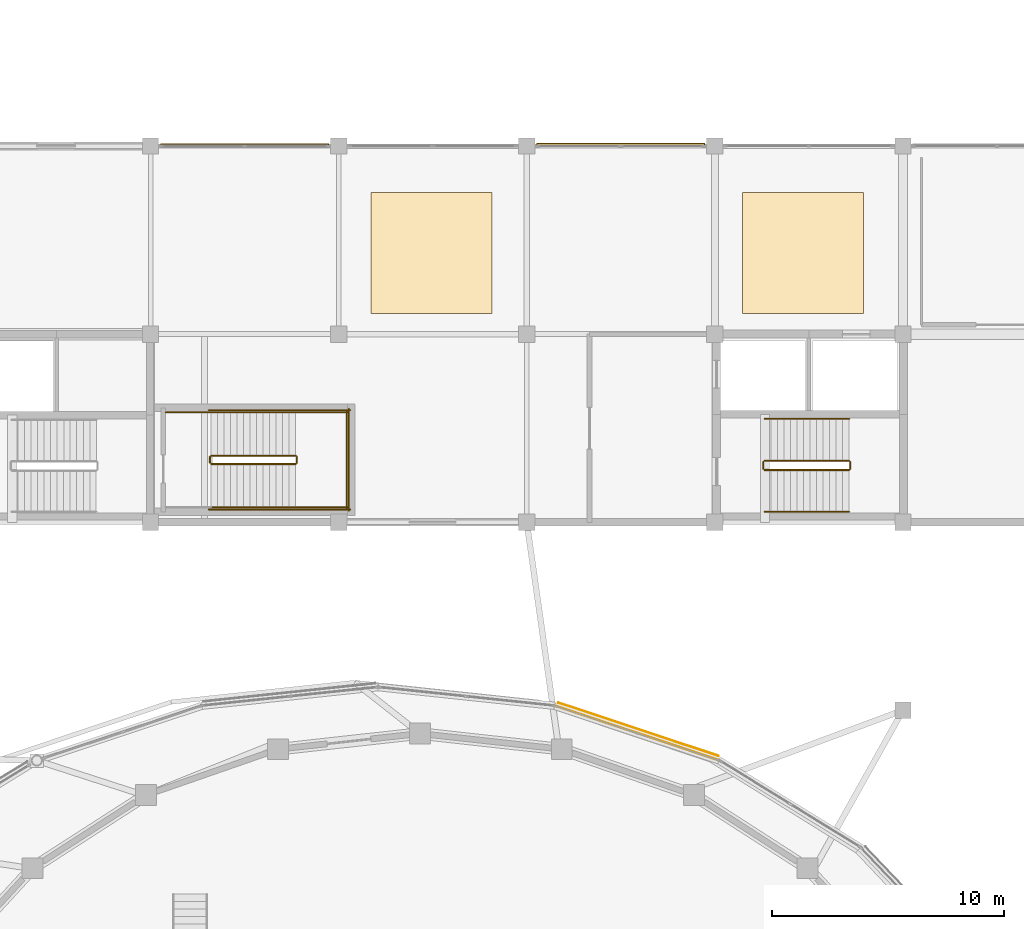
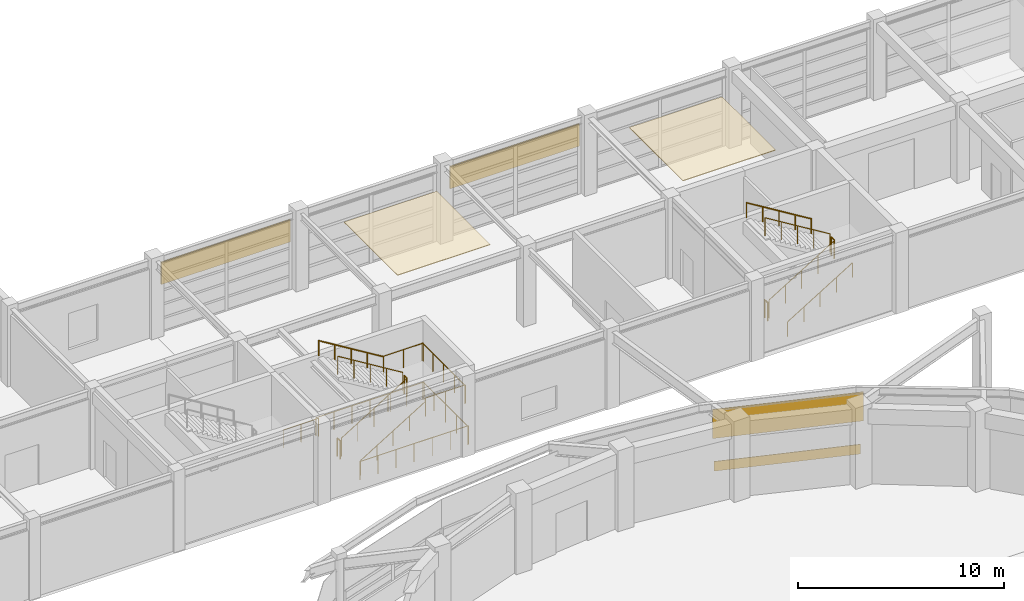
# One storey, part 52 of 56: 19 railings, 4 coverings, 2 shading devices.
"""IFC4 building model written with IfcOpenShell, lengths in metres."""

from ifc_helpers import new_model, si_unit, direction, frame, origin, origin_2d, place, context, subcontext, project, spatial, rectangle, circle, extrude, material, layer, layer_set, type_object, element, save


model = new_model("IFC4")

# Units and contexts
model_context = context("Model", 3, precision=1e-05, world=origin(), true_north=direction((0.0, 1.0)))
body_context = subcontext(model_context, "Body", "Model", "MODEL_VIEW")
ifc_project = project(units=[si_unit("LENGTHUNIT", "METRE"), si_unit("AREAUNIT", "SQUARE_METRE"), si_unit("VOLUMEUNIT", "CUBIC_METRE"), si_unit("PLANEANGLEUNIT", "RADIAN"), si_unit("MASSUNIT", "GRAM", prefix="KILO")], contexts=[model_context])

# Site, building, storey
site_placement = place(None, origin())
site = spatial("IfcSite", under=ifc_project, at=site_placement, CompositionType="ELEMENT")
building_placement = place(site_placement, origin())
building = spatial("IfcBuilding", under=site, at=building_placement, Name="Parian Resonance Hall", CompositionType="ELEMENT")
storey_placement = place(building_placement, frame((0.0, 0.0, 5.39990234375)))
storey = spatial("IfcBuildingStorey", under=building, at=storey_placement, Name="L01", CompositionType="ELEMENT", Elevation=5.39990234375)

# Coverings
ifc_material_1 = material(Name="Perforated mahogany and mineral-wool acoustic ceiling")
ifc_layer_1 = layer(ifc_material_1, 0.0400390625)
ifc_layer_set_1 = layer_set([ifc_layer_1], Name="Perforated mahogany and mineral-wool acoustic ceiling")
covering_type_1 = type_object("IfcCoveringType", Name="COV-CEIL-ACOUSTIC", PredefinedType="CEILING", material=ifc_layer_set_1)
for number, where, z_axis, x_axis, name in (
    (1, (44.5, 84.5, 4.52197265625), (0.0, 0.0, 1.0), (1.0, 0.0, 0.0), "Suspended mahogany acoustic ceiling canopy L01-02"),
    (2, (60.5, 84.5, 4.52197265625), (0.0, 0.0, 1.0), (1.0, 0.0, 0.0), "Suspended mahogany acoustic ceiling canopy L01-03"),
):
    element("IfcCovering", number, at=place(storey_placement, frame(where, z_axis=z_axis, x_axis=x_axis)), inside=storey, type_object=covering_type_1, Name=name, PredefinedType="CEILING", context=body_context, shape_type="SweptSolid", body=[
        extrude(rectangle(XDim=5.199951171875, YDim=5.199951171875, at=origin_2d()), origin(), (0.0, 0.0, 1.0), 0.0400390625),
    ])
ifc_material_2 = material(Name="Polychrome trencadis ceramic mosaic cladding")
ifc_layer_2 = layer(ifc_material_2, 0.030029296875)
ifc_layer_set_2 = layer_set([ifc_layer_2], Name="Polychrome trencadis ceramic mosaic cladding")
covering_type_2 = type_object("IfcCoveringType", Name="COV-MOSAIC-CLAD", PredefinedType="CLADDING", material=ifc_layer_set_2)
covering_1_placement = place(storey_placement, frame((53.409423828125, 63.982177734375, 0.28759765625), z_axis=(0.0, 0.0, 1.0), x_axis=(0.94892282868, -0.315508264884, 0.0)))
element("IfcCovering", 3, at=covering_1_placement, inside=storey, type_object=covering_type_2, Name="Polychrome ceramic mosaic frieze L01-007", PredefinedType="CLADDING", context=body_context, shape_type="SweptSolid", body=[
    extrude(rectangle(XDim=7.2724609375, YDim=0.030029296875, at=origin_2d()), origin(), (0.0, 0.0, 1.0), 0.574951171875),
])
covering_2_placement = place(storey_placement, frame((53.3544921875, 63.81689453125, 2.35498046875), z_axis=(0.0, 0.0, 1.0), x_axis=(0.94892282868, -0.315508264884, 0.0)))
element("IfcCovering", 4, at=covering_2_placement, inside=storey, type_object=covering_type_2, Name="Elliptical R1 upper mosaic frieze cladding 05", PredefinedType="CLADDING", context=body_context, shape_type="SweptSolid", body=[
    extrude(rectangle(XDim=7.472412109375, YDim=0.030029296875, at=origin_2d()), origin(), (0.0, 0.0, 1.0), 1.72509765625),
])

# Railings
ifc_material_3 = material(Name="Patinated bronze whiplash metalwork")
railing_type_1 = type_object("IfcRailingType", Name="RAIL-HALL-BAL-1120", PredefinedType="BALUSTRADE", material=ifc_material_3)
railing_1_placement = place(storey_placement, frame((35.010009765625, 75.409912109375, 0.171630859375)))
element("IfcRailing", 5, at=railing_1_placement, inside=storey, type_object=railing_type_1, Name="L01 ST-07 stair guard 1", PredefinedType="BALUSTRADE", context=body_context, shape_type="SweptSolid", body=[
    extrude(circle(Radius=0.02392578125, at=origin_2d()), frame((0.0, 0.0, 1.076171875), z_axis=(0.852850264322, 0.0, 0.5221555579), x_axis=(0.0, 1.0, 0.0)), (0.0, 0.0, 1.0), 4.267822265625),
    extrude(circle(Radius=0.02099609375, at=origin_2d()), origin(), (0.0, 0.0, 1.0), 1.052001953125),
    extrude(circle(Radius=0.02099609375, at=origin_2d()), frame((0.909912109375, 0.0, 0.55712890625)), (0.0, 0.0, 1.0), 1.052001953125),
    extrude(circle(Radius=0.02099609375, at=origin_2d()), frame((1.81982421875, 0.0, 1.1142578125)), (0.0, 0.0, 1.0), 1.052001953125),
    extrude(circle(Radius=0.02099609375, at=origin_2d()), frame((2.72998046875, 0.0, 1.67138671875)), (0.0, 0.0, 1.0), 1.052001953125),
    extrude(circle(Radius=0.02099609375, at=origin_2d()), frame((3.639892578125, 0.0, 2.228515625)), (0.0, 0.0, 1.0), 1.052001953125),
])
railing_2_placement = place(storey_placement, frame((38.699951171875, 75.4599609375, 2.400146484375)))
element("IfcRailing", 6, at=railing_2_placement, inside=storey, type_object=railing_type_1, Name="L01 ST-07 stair guard 2", PredefinedType="BALUSTRADE", context=body_context, shape_type="SweptSolid", body=[
    extrude(circle(Radius=0.02392578125, at=origin_2d()), frame((0.0, 0.0, 1.076171875), z_axis=(0.0, 1.0, 0.0), x_axis=(-1.0, 0.0, 0.0)), (0.0, 0.0, 1.0), 0.260009765625),
    extrude(circle(Radius=0.02099609375, at=origin_2d()), origin(), (0.0, 0.0, 1.0), 1.052001953125),
    extrude(circle(Radius=0.02099609375, at=origin_2d()), frame((0.0, 0.260009765625, 0.0)), (0.0, 0.0, 1.0), 1.052001953125),
])
for number, where, name in (
    (7, (38.64990234375, 73.550048828125, 2.400146484375), "L01 ST-07 stair guard 3"),
    (8, (38.64990234375, 77.6298828125, 2.400146484375), "L01 ST-07 stair guard 4"),
):
    element("IfcRailing", number, at=place(storey_placement, frame(where)), inside=storey, type_object=railing_type_1, Name=name, PredefinedType="BALUSTRADE", context=body_context, shape_type="SweptSolid", body=[
        extrude(circle(Radius=0.02392578125, at=origin_2d()), frame((0.0, 0.0, 1.076171875), z_axis=(1.0, 0.0, 0.0), x_axis=(0.0, 1.0, 0.0)), (0.0, 0.0, 1.0), 2.239990234375),
        extrude(circle(Radius=0.02099609375, at=origin_2d()), origin(), (0.0, 0.0, 1.0), 1.052001953125),
        extrude(circle(Radius=0.02099609375, at=origin_2d()), frame((1.1201171875, 0.0, 0.0)), (0.0, 0.0, 1.0), 1.052001953125),
        extrude(circle(Radius=0.02099609375, at=origin_2d()), frame((2.239990234375, 0.0, 0.0)), (0.0, 0.0, 1.0), 1.052001953125),
    ])
railing_3_placement = place(storey_placement, frame((40.840087890625, 73.5, 2.400146484375)))
element("IfcRailing", 9, at=railing_3_placement, inside=storey, type_object=railing_type_1, Name="L01 ST-07 stair guard 5", PredefinedType="BALUSTRADE", context=body_context, shape_type="SweptSolid", body=[
    extrude(circle(Radius=0.02392578125, at=origin_2d()), frame((0.0, 0.0, 1.076171875), z_axis=(0.0, 1.0, 0.0), x_axis=(-1.0, 0.0, 0.0)), (0.0, 0.0, 1.0), 4.179931640625),
    extrude(circle(Radius=0.02099609375, at=origin_2d()), origin(), (0.0, 0.0, 1.0), 1.052001953125),
    extrude(circle(Radius=0.02099609375, at=origin_2d()), frame((0.0, 1.044921875, 0.0)), (0.0, 0.0, 1.0), 1.052001953125),
    extrude(circle(Radius=0.02099609375, at=origin_2d()), frame((0.0, 2.08984375, 0.0)), (0.0, 0.0, 1.0), 1.052001953125),
    extrude(circle(Radius=0.02099609375, at=origin_2d()), frame((0.0, 3.135009765625, 0.0)), (0.0, 0.0, 1.0), 1.052001953125),
    extrude(circle(Radius=0.02099609375, at=origin_2d()), frame((0.0, 4.179931640625, 0.0)), (0.0, 0.0, 1.0), 1.052001953125),
])
railing_4_placement = place(storey_placement, frame((38.64990234375, 75.77001953125, 2.571533203125)))
element("IfcRailing", 10, at=railing_4_placement, inside=storey, type_object=railing_type_1, Name="L01 ST-07 stair guard 6", PredefinedType="BALUSTRADE", context=body_context, shape_type="SweptSolid", body=[
    extrude(circle(Radius=0.02392578125, at=origin_2d()), frame((0.0, 0.0, 1.076171875), z_axis=(-0.852850264322, 0.0, 0.5221555579), x_axis=(0.0, -1.0, 0.0)), (0.0, 0.0, 1.0), 4.267822265625),
    extrude(circle(Radius=0.02099609375, at=origin_2d()), origin(), (0.0, 0.0, 1.0), 1.052001953125),
    extrude(circle(Radius=0.02099609375, at=origin_2d()), frame((-0.909912109375, 0.0, 0.55712890625)), (0.0, 0.0, 1.0), 1.052001953125),
    extrude(circle(Radius=0.02099609375, at=origin_2d()), frame((-1.81982421875, 0.0, 1.1142578125)), (0.0, 0.0, 1.0), 1.052001953125),
    extrude(circle(Radius=0.02099609375, at=origin_2d()), frame((-2.72998046875, 0.0, 1.67138671875)), (0.0, 0.0, 1.0), 1.052001953125),
    extrude(circle(Radius=0.02099609375, at=origin_2d()), frame((-3.639892578125, 0.0, 2.228515625)), (0.0, 0.0, 1.0), 1.052001953125),
])
railing_5_placement = place(storey_placement, frame((34.9599609375, 75.4599609375, 0.0)))
element("IfcRailing", 11, at=railing_5_placement, inside=storey, type_object=railing_type_1, Name="L01 ST-07 stair guard 7", PredefinedType="BALUSTRADE", context=body_context, shape_type="SweptSolid", body=[
    extrude(circle(Radius=0.02392578125, at=origin_2d()), frame((0.0, 0.0, 1.076171875), z_axis=(0.0, 1.0, 0.0), x_axis=(-1.0, 0.0, 0.0)), (0.0, 0.0, 1.0), 0.260009765625),
    extrude(circle(Radius=0.02099609375, at=origin_2d()), origin(), (0.0, 0.0, 1.0), 1.052001953125),
    extrude(circle(Radius=0.02099609375, at=origin_2d()), frame((0.0, 0.260009765625, 0.0)), (0.0, 0.0, 1.0), 1.052001953125),
])
railing_6_placement = place(storey_placement, frame((33.050048828125, 77.6298828125, 0.0)))
element("IfcRailing", 12, at=railing_6_placement, inside=storey, type_object=railing_type_1, Name="L01 ST-07 stair guard 9", PredefinedType="BALUSTRADE", context=body_context, shape_type="SweptSolid", body=[
    extrude(circle(Radius=0.02392578125, at=origin_2d()), frame((0.0, 0.0, 1.076171875), z_axis=(1.0, 0.0, 0.0), x_axis=(0.0, 1.0, 0.0)), (0.0, 0.0, 1.0), 1.9599609375),
    extrude(circle(Radius=0.02099609375, at=origin_2d()), origin(), (0.0, 0.0, 1.0), 1.052001953125),
    extrude(circle(Radius=0.02099609375, at=origin_2d()), frame((0.97998046875, 0.0, 0.0)), (0.0, 0.0, 1.0), 1.052001953125),
    extrude(circle(Radius=0.02099609375, at=origin_2d()), frame((1.9599609375, 0.0, 0.0)), (0.0, 0.0, 1.0), 1.052001953125),
])
for number, where, name in (
    (13, (34.909912109375, 73.449951171875, 0.0), "L01 ST-07 stair guard 10"),
    (14, (34.909912109375, 77.72998046875, 0.0), "L01 ST-07 stair guard 11"),
):
    element("IfcRailing", number, at=place(storey_placement, frame(where)), inside=storey, type_object=railing_type_1, Name=name, PredefinedType="BALUSTRADE", context=body_context, shape_type="SweptSolid", body=[
        extrude(circle(Radius=0.02392578125, at=origin_2d()), frame((0.0, 0.0, 1.076171875), z_axis=(1.0, 0.0, 0.0), x_axis=(0.0, 1.0, 0.0)), (0.0, 0.0, 1.0), 6.080078125),
        extrude(circle(Radius=0.02099609375, at=origin_2d()), origin(), (0.0, 0.0, 1.0), 1.052001953125),
        extrude(circle(Radius=0.02099609375, at=origin_2d()), frame((1.013427734375, 0.0, 0.0)), (0.0, 0.0, 1.0), 1.052001953125),
        extrude(circle(Radius=0.02099609375, at=origin_2d()), frame((2.026611328125, 0.0, 0.0)), (0.0, 0.0, 1.0), 1.052001953125),
        extrude(circle(Radius=0.02099609375, at=origin_2d()), frame((3.0400390625, 0.0, 0.0)), (0.0, 0.0, 1.0), 1.052001953125),
        extrude(circle(Radius=0.02099609375, at=origin_2d()), frame((4.053466796875, 0.0, 0.0)), (0.0, 0.0, 1.0), 1.052001953125),
        extrude(circle(Radius=0.02099609375, at=origin_2d()), frame((5.066650390625, 0.0, 0.0)), (0.0, 0.0, 1.0), 1.052001953125),
        extrude(circle(Radius=0.02099609375, at=origin_2d()), frame((6.080078125, 0.0, 0.0)), (0.0, 0.0, 1.0), 1.052001953125),
    ])
railing_7_placement = place(storey_placement, frame((40.93994140625, 73.39990234375, 0.0)))
element("IfcRailing", 15, at=railing_7_placement, inside=storey, type_object=railing_type_1, Name="L01 ST-07 stair guard 12", PredefinedType="BALUSTRADE", context=body_context, shape_type="SweptSolid", body=[
    extrude(circle(Radius=0.02392578125, at=origin_2d()), frame((0.0, 0.0, 1.076171875), z_axis=(0.0, 1.0, 0.0), x_axis=(-1.0, 0.0, 0.0)), (0.0, 0.0, 1.0), 4.380126953125),
    extrude(circle(Radius=0.02099609375, at=origin_2d()), origin(), (0.0, 0.0, 1.0), 1.052001953125),
    extrude(circle(Radius=0.02099609375, at=origin_2d()), frame((0.0, 1.094970703125, 0.0)), (0.0, 0.0, 1.0), 1.052001953125),
    extrude(circle(Radius=0.02099609375, at=origin_2d()), frame((0.0, 2.18994140625, 0.0)), (0.0, 0.0, 1.0), 1.052001953125),
    extrude(circle(Radius=0.02099609375, at=origin_2d()), frame((0.0, 3.28515625, 0.0)), (0.0, 0.0, 1.0), 1.052001953125),
    extrude(circle(Radius=0.02099609375, at=origin_2d()), frame((0.0, 4.380126953125, 0.0)), (0.0, 0.0, 1.0), 1.052001953125),
])
ifc_material_4 = material(Name="Patinated bronze whiplash metalwork")
railing_type_2 = type_object("IfcRailingType", Name="RAIL-STAIR-GRD-1100", PredefinedType="GUARDRAIL", material=ifc_material_4)
railing_8_placement = place(storey_placement, frame((58.840087890625, 75.14990234375, 0.171630859375)))
element("IfcRailing", 16, at=railing_8_placement, inside=storey, type_object=railing_type_2, Name="L01 ST-01 stair guard 1", PredefinedType="GUARDRAIL", context=body_context, shape_type="SweptSolid", body=[
    extrude(circle(Radius=0.02392578125, at=origin_2d()), frame((0.0, 0.0, 1.076171875), z_axis=(0.852850264322, 0.0, 0.5221555579), x_axis=(0.0, 1.0, 0.0)), (0.0, 0.0, 1.0), 4.267822265625),
    extrude(circle(Radius=0.02099609375, at=origin_2d()), origin(), (0.0, 0.0, 1.0), 1.052001953125),
    extrude(circle(Radius=0.02099609375, at=origin_2d()), frame((0.909912109375, 0.0, 0.55712890625)), (0.0, 0.0, 1.0), 1.052001953125),
    extrude(circle(Radius=0.02099609375, at=origin_2d()), frame((1.81982421875, 0.0, 1.1142578125)), (0.0, 0.0, 1.0), 1.052001953125),
    extrude(circle(Radius=0.02099609375, at=origin_2d()), frame((2.72998046875, 0.0, 1.67138671875)), (0.0, 0.0, 1.0), 1.052001953125),
    extrude(circle(Radius=0.02099609375, at=origin_2d()), frame((3.639892578125, 0.0, 2.228515625)), (0.0, 0.0, 1.0), 1.052001953125),
])
railing_9_placement = place(storey_placement, frame((62.530029296875, 75.199951171875, 2.400146484375)))
element("IfcRailing", 17, at=railing_9_placement, inside=storey, type_object=railing_type_2, Name="L01 ST-01 stair guard 2", PredefinedType="GUARDRAIL", context=body_context, shape_type="SweptSolid", body=[
    extrude(circle(Radius=0.02392578125, at=origin_2d()), frame((0.0, 0.0, 1.076171875), z_axis=(0.0, 1.0, 0.0), x_axis=(-1.0, 0.0, 0.0)), (0.0, 0.0, 1.0), 0.300048828125),
    extrude(circle(Radius=0.02099609375, at=origin_2d()), origin(), (0.0, 0.0, 1.0), 1.052001953125),
    extrude(circle(Radius=0.02099609375, at=origin_2d()), frame((0.0, 0.300048828125, 0.0)), (0.0, 0.0, 1.0), 1.052001953125),
])
railing_10_placement = place(storey_placement, frame((62.47998046875, 75.550048828125, 2.571533203125)))
element("IfcRailing", 18, at=railing_10_placement, inside=storey, type_object=railing_type_2, Name="L01 ST-01 stair guard 3", PredefinedType="GUARDRAIL", context=body_context, shape_type="SweptSolid", body=[
    extrude(circle(Radius=0.02392578125, at=origin_2d()), frame((0.0, 0.0, 1.076171875), z_axis=(-0.852850264322, 0.0, 0.5221555579), x_axis=(0.0, -1.0, 0.0)), (0.0, 0.0, 1.0), 4.267822265625),
    extrude(circle(Radius=0.02099609375, at=origin_2d()), origin(), (0.0, 0.0, 1.0), 1.052001953125),
    extrude(circle(Radius=0.02099609375, at=origin_2d()), frame((-0.909912109375, 0.0, 0.55712890625)), (0.0, 0.0, 1.0), 1.052001953125),
    extrude(circle(Radius=0.02099609375, at=origin_2d()), frame((-1.81982421875, 0.0, 1.1142578125)), (0.0, 0.0, 1.0), 1.052001953125),
    extrude(circle(Radius=0.02099609375, at=origin_2d()), frame((-2.72998046875, 0.0, 1.67138671875)), (0.0, 0.0, 1.0), 1.052001953125),
    extrude(circle(Radius=0.02099609375, at=origin_2d()), frame((-3.639892578125, 0.0, 2.228515625)), (0.0, 0.0, 1.0), 1.052001953125),
])
railing_11_placement = place(storey_placement, frame((58.7900390625, 75.199951171875, 0.0)))
element("IfcRailing", 19, at=railing_11_placement, inside=storey, type_object=railing_type_2, Name="L01 ST-01 stair guard 4", PredefinedType="GUARDRAIL", context=body_context, shape_type="SweptSolid", body=[
    extrude(circle(Radius=0.02392578125, at=origin_2d()), frame((0.0, 0.0, 1.076171875), z_axis=(0.0, 1.0, 0.0), x_axis=(-1.0, 0.0, 0.0)), (0.0, 0.0, 1.0), 0.300048828125),
    extrude(circle(Radius=0.02099609375, at=origin_2d()), origin(), (0.0, 0.0, 1.0), 1.052001953125),
    extrude(circle(Radius=0.02099609375, at=origin_2d()), frame((0.0, 0.300048828125, 0.0)), (0.0, 0.0, 1.0), 1.052001953125),
])
ifc_material_5 = material(Name="Patinated bronze whiplash metalwork")
railing_type_3 = type_object("IfcRailingType", Name="RAIL-STAIR-HR-900", PredefinedType="HANDRAIL", material=ifc_material_5)
railing_12_placement = place(storey_placement, frame((58.840087890625, 73.35009765625, 0.171630859375)))
element("IfcRailing", 20, at=railing_12_placement, inside=storey, type_object=railing_type_3, Name="L01 ST-01 stair handrail 1", PredefinedType="HANDRAIL", context=body_context, shape_type="SweptSolid", body=[
    extrude(circle(Radius=0.02392578125, at=origin_2d()), frame((0.0, 0.0, 0.8759765625), z_axis=(0.852850264322, 0.0, 0.5221555579), x_axis=(0.0, 1.0, 0.0)), (0.0, 0.0, 1.0), 4.267822265625),
    extrude(circle(Radius=0.02099609375, at=origin_2d()), origin(), (0.0, 0.0, 1.0), 0.851806640625),
    extrude(circle(Radius=0.02099609375, at=origin_2d()), frame((0.909912109375, 0.0, 0.55712890625)), (0.0, 0.0, 1.0), 0.851806640625),
    extrude(circle(Radius=0.02099609375, at=origin_2d()), frame((1.81982421875, 0.0, 1.1142578125)), (0.0, 0.0, 1.0), 0.851806640625),
    extrude(circle(Radius=0.02099609375, at=origin_2d()), frame((2.72998046875, 0.0, 1.67138671875)), (0.0, 0.0, 1.0), 0.851806640625),
    extrude(circle(Radius=0.02099609375, at=origin_2d()), frame((3.639892578125, 0.0, 2.228515625)), (0.0, 0.0, 1.0), 0.851806640625),
])
railing_13_placement = place(storey_placement, frame((62.47998046875, 77.35009765625, 2.571533203125)))
element("IfcRailing", 21, at=railing_13_placement, inside=storey, type_object=railing_type_3, Name="L01 ST-01 stair handrail 2", PredefinedType="HANDRAIL", context=body_context, shape_type="SweptSolid", body=[
    extrude(circle(Radius=0.02392578125, at=origin_2d()), frame((0.0, 0.0, 0.8759765625), z_axis=(-0.852850264322, 0.0, 0.5221555579), x_axis=(0.0, -1.0, 0.0)), (0.0, 0.0, 1.0), 4.267822265625),
    extrude(circle(Radius=0.02099609375, at=origin_2d()), origin(), (0.0, 0.0, 1.0), 0.851806640625),
    extrude(circle(Radius=0.02099609375, at=origin_2d()), frame((-0.909912109375, 0.0, 0.55712890625)), (0.0, 0.0, 1.0), 0.851806640625),
    extrude(circle(Radius=0.02099609375, at=origin_2d()), frame((-1.81982421875, 0.0, 1.1142578125)), (0.0, 0.0, 1.0), 0.851806640625),
    extrude(circle(Radius=0.02099609375, at=origin_2d()), frame((-2.72998046875, 0.0, 1.67138671875)), (0.0, 0.0, 1.0), 0.851806640625),
    extrude(circle(Radius=0.02099609375, at=origin_2d()), frame((-3.639892578125, 0.0, 2.228515625)), (0.0, 0.0, 1.0), 0.851806640625),
])
railing_14_placement = place(storey_placement, frame((35.010009765625, 73.550048828125, 0.171630859375)))
element("IfcRailing", 22, at=railing_14_placement, inside=storey, type_object=railing_type_3, Name="L01 ST-07 stair handrail 1", PredefinedType="HANDRAIL", context=body_context, shape_type="SweptSolid", body=[
    extrude(circle(Radius=0.02392578125, at=origin_2d()), frame((0.0, 0.0, 0.8759765625), z_axis=(0.852850264322, 0.0, 0.5221555579), x_axis=(0.0, 1.0, 0.0)), (0.0, 0.0, 1.0), 4.267822265625),
    extrude(circle(Radius=0.02099609375, at=origin_2d()), origin(), (0.0, 0.0, 1.0), 0.851806640625),
    extrude(circle(Radius=0.02099609375, at=origin_2d()), frame((0.909912109375, 0.0, 0.55712890625)), (0.0, 0.0, 1.0), 0.851806640625),
    extrude(circle(Radius=0.02099609375, at=origin_2d()), frame((1.81982421875, 0.0, 1.1142578125)), (0.0, 0.0, 1.0), 0.851806640625),
    extrude(circle(Radius=0.02099609375, at=origin_2d()), frame((2.72998046875, 0.0, 1.67138671875)), (0.0, 0.0, 1.0), 0.851806640625),
    extrude(circle(Radius=0.02099609375, at=origin_2d()), frame((3.639892578125, 0.0, 2.228515625)), (0.0, 0.0, 1.0), 0.851806640625),
])
railing_15_placement = place(storey_placement, frame((38.64990234375, 77.6298828125, 2.571533203125)))
element("IfcRailing", 23, at=railing_15_placement, inside=storey, type_object=railing_type_3, Name="L01 ST-07 stair handrail 2", PredefinedType="HANDRAIL", context=body_context, shape_type="SweptSolid", body=[
    extrude(circle(Radius=0.02392578125, at=origin_2d()), frame((0.0, 0.0, 0.8759765625), z_axis=(-0.852850264322, 0.0, 0.5221555579), x_axis=(0.0, -1.0, 0.0)), (0.0, 0.0, 1.0), 4.267822265625),
    extrude(circle(Radius=0.02099609375, at=origin_2d()), origin(), (0.0, 0.0, 1.0), 0.851806640625),
    extrude(circle(Radius=0.02099609375, at=origin_2d()), frame((-0.909912109375, 0.0, 0.55712890625)), (0.0, 0.0, 1.0), 0.851806640625),
    extrude(circle(Radius=0.02099609375, at=origin_2d()), frame((-1.81982421875, 0.0, 1.1142578125)), (0.0, 0.0, 1.0), 0.851806640625),
    extrude(circle(Radius=0.02099609375, at=origin_2d()), frame((-2.72998046875, 0.0, 1.67138671875)), (0.0, 0.0, 1.0), 0.851806640625),
    extrude(circle(Radius=0.02099609375, at=origin_2d()), frame((-3.639892578125, 0.0, 2.228515625)), (0.0, 0.0, 1.0), 0.851806640625),
])

# Shading devices
ifc_material_6 = material(Name="Patinated bronze persiana louver")
ifc_layer_3 = layer(ifc_material_6, 0.080078125)
ifc_layer_set_3 = layer_set([ifc_layer_3], Name="Patinated bronze persiana louver")
shading_device_type = type_object("IfcShadingDeviceType", Name="SHD-PERSIANA-JAL", PredefinedType="JALOUSIE", material=ifc_layer_set_3)
for number, where, z_axis, x_axis, name in (
    (24, (36.449951171875, 89.16748046875, 2.787109375), (0.0, 0.0, 1.0), (1.0, 0.0, 0.0), "Bronze persiana storm jalousie L01-035"),
    (25, (52.64990234375, 89.172607421875, 2.787109375), (0.0, 0.0, 1.0), (1.0, 0.0, 0.0), "Bronze persiana storm jalousie L01-038"),
):
    element("IfcShadingDevice", number, at=place(storey_placement, frame(where, z_axis=z_axis, x_axis=x_axis)), inside=storey, type_object=shading_device_type, Name=name, PredefinedType="JALOUSIE", context=body_context, shape_type="SweptSolid", body=[
        extrude(rectangle(XDim=7.239990234375, YDim=0.080078125, at=origin_2d()), origin(), (0.0, 0.0, 1.0), 1.300048828125),
    ])

save(model, "model.ifc")
